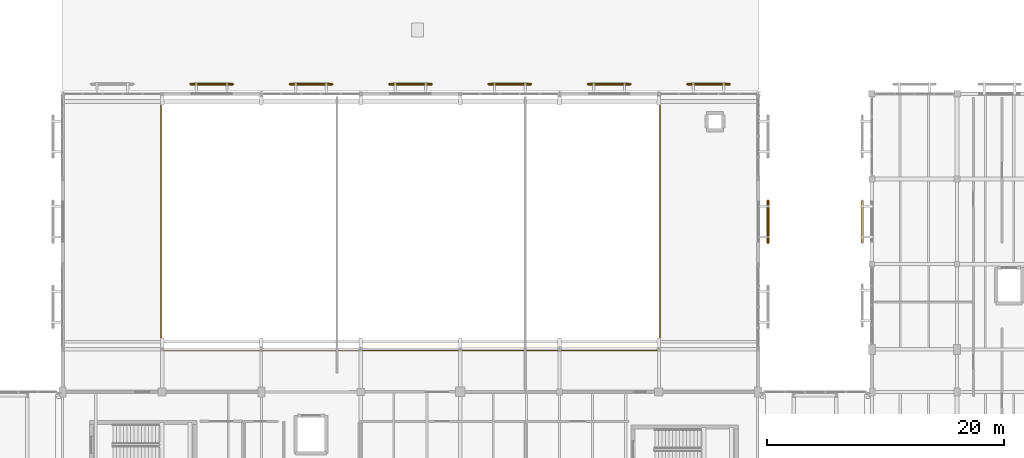
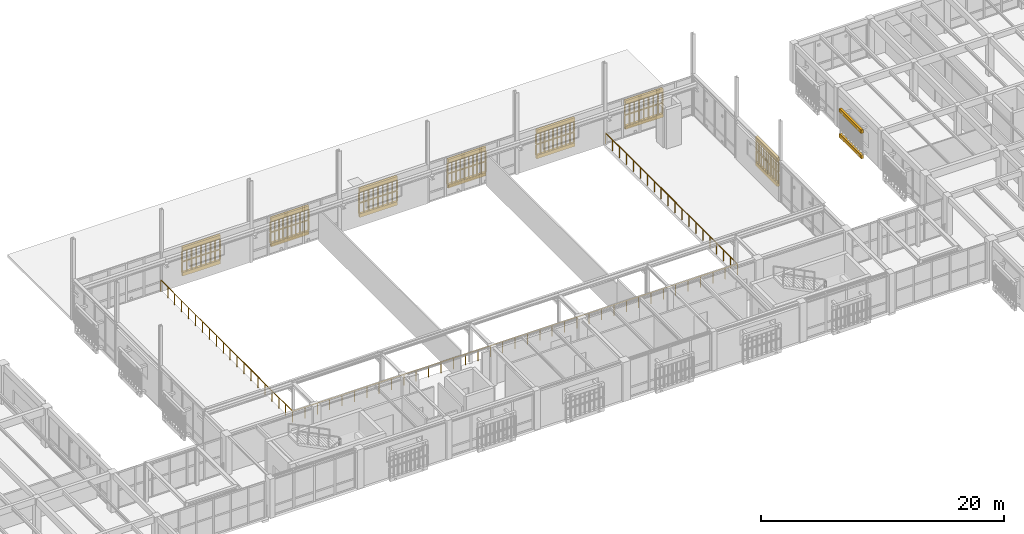
# One storey, part 161 of 170: 16 coverings, 15 railings.
"""IFC4 building model written with IfcOpenShell, lengths in metres."""

import ifcopenshell
import ifcopenshell.guid

model = None  # the IFC model being written
_history = None  # IfcOwnerHistory: only IFC2X3 demands one
_inside = {}  # id of a spatial element -> (the spatial element, [elements in it])
_under = {}  # id of a project, library or spatial element -> (it, [spatial elements below it])
_declared = {}  # id of a project -> (the project, [libraries it declares])
_typed = {}  # id of a type object -> (the type object, [elements of that type])
_made_of = {}  # id of a material, layer set ... -> (it, [elements and type objects made of it])


def new_model(schema):
    """Start an empty IFC model of exactly this schema.

    Asked for "IFC4X3", IfcOpenShell would pick the latest addendum, in which some entities
    have other attributes; the version numbers below select the first issue.
    IFC2X3 requires an IfcOwnerHistory on every rooted entity: one is made here for all.
    """
    global model, _history
    if schema == "IFC4X3":
        model = ifcopenshell.file(schema_version=(4, 3, 0, 0))
    else:
        model = ifcopenshell.file(schema=schema)
    _inside.clear()
    _under.clear()
    _declared.clear()
    _typed.clear()
    _made_of.clear()
    _history = None
    if model.schema == "IFC2X3":
        org = make("IfcOrganization", Name="unknown")
        user = make(
            "IfcPersonAndOrganization",
            ThePerson=make("IfcPerson", FamilyName="unknown"),
            TheOrganization=org,
        )
        app = make(
            "IfcApplication",
            ApplicationDeveloper=org,
            Version="unknown",
            ApplicationFullName="unknown",
            ApplicationIdentifier="unknown",
        )
        _history = make(
            "IfcOwnerHistory",
            OwningUser=user,
            OwningApplication=app,
            ChangeAction="ADDED",
            CreationDate=0,
        )
    return model


def make(cls, **values):
    """One entity of the class cls with the attributes given. An attribute that is None is left unset."""
    return model.create_entity(
        cls, **{name: value for name, value in values.items() if value is not None}
    )


def rooted(cls, **values):
    """An entity with a GlobalId (a new one), such as an element, a storey or a relation."""
    return make(cls, GlobalId=ifcopenshell.guid.new(), OwnerHistory=_history, **values)


def si_unit(unit_type, name, prefix=None):
    """IfcSIUnit, for example si_unit("LENGTHUNIT", "METRE", prefix="MILLI")."""
    return make("IfcSIUnit", UnitType=unit_type, Prefix=prefix, Name=name)


def assignment(units):
    """IfcUnitAssignment: the units of a project."""
    return None if units is None else make("IfcUnitAssignment", Units=units)


def point(xyz):
    """IfcCartesianPoint."""
    return None if xyz is None else make("IfcCartesianPoint", Coordinates=xyz)


def direction(xyz):
    """IfcDirection."""
    return None if xyz is None else make("IfcDirection", DirectionRatios=xyz)


def frame(location, z_axis=None, x_axis=None):
    """IfcAxis2Placement3D, a coordinate frame: its origin and axes. An axis left out is left unset."""
    return make(
        "IfcAxis2Placement3D",
        Location=point(location),
        Axis=direction(z_axis),
        RefDirection=direction(x_axis),
    )


def frame_2d(location, x_axis=None):
    """IfcAxis2Placement2D, a coordinate frame in the plane: its origin and x axis."""
    return make(
        "IfcAxis2Placement2D", Location=point(location), RefDirection=direction(x_axis)
    )


def origin():
    """The frame at (0, 0, 0) with its axes left unset."""
    return frame((0.0, 0.0, 0.0))


def origin_2d():
    """The frame at (0, 0) in the plane with its x axis left unset."""
    return frame_2d((0.0, 0.0))


def place(relative_to, where):
    """IfcLocalPlacement: puts the frame where relative to a parent placement (None: the world)."""
    return make(
        "IfcLocalPlacement", PlacementRelTo=relative_to, RelativePlacement=where
    )


def context(
    kind, dimensions, precision=None, world=None, true_north=None, identifier=None
):
    """IfcGeometricRepresentationContext, for example the 3D "Model" context."""
    return make(
        "IfcGeometricRepresentationContext",
        ContextIdentifier=identifier,
        ContextType=kind,
        CoordinateSpaceDimension=dimensions,
        Precision=precision,
        WorldCoordinateSystem=world,
        TrueNorth=true_north,
    )


def subcontext(parent, identifier, kind, view, scale=None):
    """IfcGeometricRepresentationSubContext, for example "Body" below "Model"."""
    return make(
        "IfcGeometricRepresentationSubContext",
        ContextIdentifier=identifier,
        ContextType=kind,
        ParentContext=parent,
        TargetScale=scale,
        TargetView=view,
    )


def project(units=None, contexts=None):
    """IfcProject with its units and contexts."""
    return rooted(
        "IfcProject",
        Name="project",
        RepresentationContexts=contexts,
        UnitsInContext=assignment(units),
    )


def spatial(cls, under=None, at=None, **own):
    """A site, building, storey or space (cls), placed at a placement, below another one or the project."""
    s = rooted(cls, ObjectPlacement=at, **own)
    if under is not None:
        _under.setdefault(under.id(), (under, []))[1].append(s)
    return s


def polyline(points):
    """IfcPolyline through the points."""
    return make("IfcPolyline", Points=[point(p) for p in points])


def profile(cls, at=None, kind="AREA", **sizes):
    """A parametric profile (cls). Its sizes go by their IFC names, for example OverallWidth=200.0."""
    return make(cls, ProfileType=kind, Position=at, **sizes)


def circle(**sizes):
    """IfcCircleProfileDef."""
    return profile("IfcCircleProfileDef", **sizes)


def outline(outer, holes=None, kind="AREA"):
    """IfcArbitraryClosedProfileDef: a profile drawn as a closed curve; with holes, ...WithVoids."""
    if holes is None:
        return make("IfcArbitraryClosedProfileDef", ProfileType=kind, OuterCurve=outer)
    return make(
        "IfcArbitraryProfileDefWithVoids",
        ProfileType=kind,
        OuterCurve=outer,
        InnerCurves=holes,
    )


def extrude(swept, where, along, depth):
    """IfcExtrudedAreaSolid: the profile swept, set in the frame where, extruded along a direction by depth."""
    return make(
        "IfcExtrudedAreaSolid",
        SweptArea=swept,
        Position=where,
        ExtrudedDirection=direction(along),
        Depth=depth,
    )


def shape(context_of_items, identifier, shape_type, items):
    """IfcShapeRepresentation: the items that make up one representation, for example the "Body"."""
    return make(
        "IfcShapeRepresentation",
        ContextOfItems=context_of_items,
        RepresentationIdentifier=identifier,
        RepresentationType=shape_type,
        Items=items,
    )


def material(Name=None, Category=None):
    """IfcMaterial."""
    return make("IfcMaterial", Name=Name, Category=Category)


def layer(
    of_material, thickness, ventilated=None, Name=None, Category=None, Priority=None
):
    """IfcMaterialLayer: one layer of a wall or slab, of a material (None: an air gap)."""
    return make(
        "IfcMaterialLayer",
        Material=of_material,
        LayerThickness=thickness,
        IsVentilated=ventilated,
        Name=Name,
        Category=Category,
        Priority=Priority,
    )


def layer_set(layers, Name=None):
    """IfcMaterialLayerSet."""
    return make("IfcMaterialLayerSet", MaterialLayers=layers, LayerSetName=Name)


def made_of(thing, what):
    """Note that an element or type object is made of a material, layer set ...; save() writes the relation."""
    if what is not None:
        _made_of.setdefault(what.id(), (what, []))[1].append(thing)
    return thing


def type_object(cls, material=None, **own):
    """A type object (cls), such as IfcWallType, which elements share."""
    return made_of(rooted(cls, **own), material)


def element(
    cls,
    number,
    at=None,
    inside=None,
    cuts=None,
    type_object=None,
    material=None,
    context=None,
    identifier="Body",
    shape_type=None,
    held_by="IfcProductDefinitionShape",
    body=None,
    shapes=None,
    **own,
):
    """One element of the class cls, such as IfcWall. Its Tag is "e" and its number.

    at: its placement. inside: the storey or other place that contains it. cuts: it is an
    opening in that element (IfcRelVoidsElement). A single representation is given by context,
    identifier, shape_type and body (its items); several are given by shapes. held_by: the class
    of the entity that holds the representations. save() writes the other relations.
    """
    e = rooted(cls, Tag="e%d" % number, ObjectPlacement=at, **own)
    if body is not None:
        shapes = [shape(context, identifier, shape_type, body)]
    if shapes is not None:
        e.Representation = make(held_by, Representations=shapes)
    if inside is not None:
        _inside.setdefault(inside.id(), (inside, []))[1].append(e)
    if cuts is not None:
        rooted(
            "IfcRelVoidsElement", RelatingBuildingElement=cuts, RelatedOpeningElement=e
        )
    if type_object is not None:
        _typed.setdefault(type_object.id(), (type_object, []))[1].append(e)
    return made_of(e, material)


def aggregate(whole, parts):
    """IfcRelAggregates: a whole, such as a stair, and the parts it consists of."""
    return rooted("IfcRelAggregates", RelatingObject=whole, RelatedObjects=parts)


def save(model, path):
    """Write the relations noted so far, then the file.

    IfcRelAggregates (storeys below a building ...), IfcRelContainedInSpatialStructure (elements
    in a storey), IfcRelDefinesByType, IfcRelAssociatesMaterial and IfcRelDeclares: one each for
    every whole, place, type object, material and project.
    """
    for whole, parts in _under.values():
        aggregate(whole, parts)
    for where, things in _inside.values():
        rooted(
            "IfcRelContainedInSpatialStructure",
            RelatedElements=things,
            RelatingStructure=where,
        )
    for kind, things in _typed.values():
        rooted("IfcRelDefinesByType", RelatedObjects=things, RelatingType=kind)
    for what, things in _made_of.values():
        rooted("IfcRelAssociatesMaterial", RelatedObjects=things, RelatingMaterial=what)
    for by, libraries in _declared.values():
        rooted("IfcRelDeclares", RelatingContext=by, RelatedDefinitions=libraries)
    model.write(path)


model = new_model("IFC4")

# Units and contexts
model_context = context("Model", 3, precision=1e-05, world=origin(), true_north=direction((0.0, 1.0)))
body_context = subcontext(model_context, "Body", "Model", "MODEL_VIEW")
ifc_project = project(units=[si_unit("LENGTHUNIT", "METRE"), si_unit("AREAUNIT", "SQUARE_METRE"), si_unit("VOLUMEUNIT", "CUBIC_METRE"), si_unit("PLANEANGLEUNIT", "RADIAN"), si_unit("MASSUNIT", "GRAM", prefix="KILO")], contexts=[model_context])

# Site, building, storey
site_placement = place(None, origin())
site = spatial("IfcSite", under=ifc_project, at=site_placement, CompositionType="ELEMENT")
building_placement = place(site_placement, origin())
building = spatial("IfcBuilding", under=site, at=building_placement, Name="Mazaris Harbour Polytechnic", CompositionType="ELEMENT")
storey_placement = place(building_placement, frame((0.0, 0.0, 5.39990234375)))
storey = spatial("IfcBuildingStorey", under=building, at=storey_placement, Name="L01", CompositionType="ELEMENT", Elevation=5.39990234375)

# Railings
ifc_material_1 = material(Name="Steel S355", Category="steel")
railing_type_1 = type_object("IfcRailingType", Name="Mezzanine Steel Guardrail 1100", PredefinedType="GUARDRAIL", material=ifc_material_1)
railing_placement = place(storey_placement, frame((62.300048828125, 107.9599609375, 0.0)))
element("IfcRailing", 1, at=railing_placement, inside=storey, type_object=railing_type_1, Name="Railing GRD-V1-CRANE", PredefinedType="GUARDRAIL", context=body_context, shape_type="SweptSolid", body=[
    extrude(circle(Radius=0.02392578125, at=origin_2d()), frame((0.0, 0.0, 1.09619140625), z_axis=(0.0, -1.0, 0.0), x_axis=(1.0, 0.0, 0.0)), (0.0, 0.0, 1.0), 21.659912109375),
    extrude(circle(Radius=0.02392578125, at=origin_2d()), frame((0.0, -21.659912109375, 1.09619140625), z_axis=(1.0, 0.0, 0.0), x_axis=(0.0, 1.0, 0.0)), (0.0, 0.0, 1.0), 42.199951171875),
    extrude(circle(Radius=0.02392578125, at=origin_2d()), frame((42.199951171875, -21.659912109375, 1.09619140625), z_axis=(0.0, 1.0, 0.0), x_axis=(-1.0, 0.0, 0.0)), (0.0, 0.0, 1.0), 21.659912109375),
    extrude(circle(Radius=0.02099609375, at=origin_2d()), origin(), (0.0, 0.0, 1.0), 1.072021484375),
    extrude(circle(Radius=0.02099609375, at=origin_2d()), frame((0.0, -1.139892578125, 0.0)), (0.0, 0.0, 1.0), 1.072021484375),
    extrude(circle(Radius=0.02099609375, at=origin_2d()), frame((0.0, -2.280029296875, 0.0)), (0.0, 0.0, 1.0), 1.072021484375),
    extrude(circle(Radius=0.02099609375, at=origin_2d()), frame((0.0, -3.419921875, 0.0)), (0.0, 0.0, 1.0), 1.072021484375),
    extrude(circle(Radius=0.02099609375, at=origin_2d()), frame((0.0, -4.56005859375, 0.0)), (0.0, 0.0, 1.0), 1.072021484375),
    extrude(circle(Radius=0.02099609375, at=origin_2d()), frame((0.0, -5.699951171875, 0.0)), (0.0, 0.0, 1.0), 1.072021484375),
    extrude(circle(Radius=0.02099609375, at=origin_2d()), frame((0.0, -6.840087890625, 0.0)), (0.0, 0.0, 1.0), 1.072021484375),
    extrude(circle(Radius=0.02099609375, at=origin_2d()), frame((0.0, -7.97998046875, 0.0)), (0.0, 0.0, 1.0), 1.072021484375),
    extrude(circle(Radius=0.02099609375, at=origin_2d()), frame((0.0, -9.119873046875, 0.0)), (0.0, 0.0, 1.0), 1.072021484375),
    extrude(circle(Radius=0.02099609375, at=origin_2d()), frame((0.0, -10.260009765625, 0.0)), (0.0, 0.0, 1.0), 1.072021484375),
    extrude(circle(Radius=0.02099609375, at=origin_2d()), frame((0.0, -11.39990234375, 0.0)), (0.0, 0.0, 1.0), 1.072021484375),
    extrude(circle(Radius=0.02099609375, at=origin_2d()), frame((0.0, -12.5400390625, 0.0)), (0.0, 0.0, 1.0), 1.072021484375),
    extrude(circle(Radius=0.02099609375, at=origin_2d()), frame((0.0, -13.679931640625, 0.0)), (0.0, 0.0, 1.0), 1.072021484375),
    extrude(circle(Radius=0.02099609375, at=origin_2d()), frame((0.0, -14.81982421875, 0.0)), (0.0, 0.0, 1.0), 1.072021484375),
    extrude(circle(Radius=0.02099609375, at=origin_2d()), frame((0.0, -15.9599609375, 0.0)), (0.0, 0.0, 1.0), 1.072021484375),
    extrude(circle(Radius=0.02099609375, at=origin_2d()), frame((0.0, -17.099853515625, 0.0)), (0.0, 0.0, 1.0), 1.072021484375),
    extrude(circle(Radius=0.02099609375, at=origin_2d()), frame((0.0, -18.239990234375, 0.0)), (0.0, 0.0, 1.0), 1.072021484375),
    extrude(circle(Radius=0.02099609375, at=origin_2d()), frame((0.0, -19.3798828125, 0.0)), (0.0, 0.0, 1.0), 1.072021484375),
    extrude(circle(Radius=0.02099609375, at=origin_2d()), frame((0.0, -20.52001953125, 0.0)), (0.0, 0.0, 1.0), 1.072021484375),
    extrude(circle(Radius=0.02099609375, at=origin_2d()), frame((0.0, -21.659912109375, 0.0)), (0.0, 0.0, 1.0), 1.072021484375),
    extrude(circle(Radius=0.02099609375, at=origin_2d()), frame((1.172119140625, -21.659912109375, 0.0)), (0.0, 0.0, 1.0), 1.072021484375),
    extrude(circle(Radius=0.02099609375, at=origin_2d()), frame((2.344482421875, -21.659912109375, 0.0)), (0.0, 0.0, 1.0), 1.072021484375),
    extrude(circle(Radius=0.02099609375, at=origin_2d()), frame((3.5166015625, -21.659912109375, 0.0)), (0.0, 0.0, 1.0), 1.072021484375),
    extrude(circle(Radius=0.02099609375, at=origin_2d()), frame((4.68896484375, -21.659912109375, 0.0)), (0.0, 0.0, 1.0), 1.072021484375),
    extrude(circle(Radius=0.02099609375, at=origin_2d()), frame((5.861083984375, -21.659912109375, 0.0)), (0.0, 0.0, 1.0), 1.072021484375),
    extrude(circle(Radius=0.02099609375, at=origin_2d()), frame((7.033203125, -21.659912109375, 0.0)), (0.0, 0.0, 1.0), 1.072021484375),
    extrude(circle(Radius=0.02099609375, at=origin_2d()), frame((8.20556640625, -21.659912109375, 0.0)), (0.0, 0.0, 1.0), 1.072021484375),
    extrude(circle(Radius=0.02099609375, at=origin_2d()), frame((9.377685546875, -21.659912109375, 0.0)), (0.0, 0.0, 1.0), 1.072021484375),
    extrude(circle(Radius=0.02099609375, at=origin_2d()), frame((10.550048828125, -21.659912109375, 0.0)), (0.0, 0.0, 1.0), 1.072021484375),
    extrude(circle(Radius=0.02099609375, at=origin_2d()), frame((11.72216796875, -21.659912109375, 0.0)), (0.0, 0.0, 1.0), 1.072021484375),
    extrude(circle(Radius=0.02099609375, at=origin_2d()), frame((12.89453125, -21.659912109375, 0.0)), (0.0, 0.0, 1.0), 1.072021484375),
    extrude(circle(Radius=0.02099609375, at=origin_2d()), frame((14.066650390625, -21.659912109375, 0.0)), (0.0, 0.0, 1.0), 1.072021484375),
    extrude(circle(Radius=0.02099609375, at=origin_2d()), frame((15.23876953125, -21.659912109375, 0.0)), (0.0, 0.0, 1.0), 1.072021484375),
    extrude(circle(Radius=0.02099609375, at=origin_2d()), frame((16.4111328125, -21.659912109375, 0.0)), (0.0, 0.0, 1.0), 1.072021484375),
    extrude(circle(Radius=0.02099609375, at=origin_2d()), frame((17.583251953125, -21.659912109375, 0.0)), (0.0, 0.0, 1.0), 1.072021484375),
    extrude(circle(Radius=0.02099609375, at=origin_2d()), frame((18.755615234375, -21.659912109375, 0.0)), (0.0, 0.0, 1.0), 1.072021484375),
    extrude(circle(Radius=0.02099609375, at=origin_2d()), frame((19.927734375, -21.659912109375, 0.0)), (0.0, 0.0, 1.0), 1.072021484375),
    extrude(circle(Radius=0.02099609375, at=origin_2d()), frame((21.10009765625, -21.659912109375, 0.0)), (0.0, 0.0, 1.0), 1.072021484375),
    extrude(circle(Radius=0.02099609375, at=origin_2d()), frame((22.272216796875, -21.659912109375, 0.0)), (0.0, 0.0, 1.0), 1.072021484375),
    extrude(circle(Radius=0.02099609375, at=origin_2d()), frame((23.4443359375, -21.659912109375, 0.0)), (0.0, 0.0, 1.0), 1.072021484375),
    extrude(circle(Radius=0.02099609375, at=origin_2d()), frame((24.61669921875, -21.659912109375, 0.0)), (0.0, 0.0, 1.0), 1.072021484375),
    extrude(circle(Radius=0.02099609375, at=origin_2d()), frame((25.788818359375, -21.659912109375, 0.0)), (0.0, 0.0, 1.0), 1.072021484375),
    extrude(circle(Radius=0.02099609375, at=origin_2d()), frame((26.961181640625, -21.659912109375, 0.0)), (0.0, 0.0, 1.0), 1.072021484375),
    extrude(circle(Radius=0.02099609375, at=origin_2d()), frame((28.13330078125, -21.659912109375, 0.0)), (0.0, 0.0, 1.0), 1.072021484375),
    extrude(circle(Radius=0.02099609375, at=origin_2d()), frame((29.305419921875, -21.659912109375, 0.0)), (0.0, 0.0, 1.0), 1.072021484375),
    extrude(circle(Radius=0.02099609375, at=origin_2d()), frame((30.477783203125, -21.659912109375, 0.0)), (0.0, 0.0, 1.0), 1.072021484375),
    extrude(circle(Radius=0.02099609375, at=origin_2d()), frame((31.64990234375, -21.659912109375, 0.0)), (0.0, 0.0, 1.0), 1.072021484375),
    extrude(circle(Radius=0.02099609375, at=origin_2d()), frame((32.822265625, -21.659912109375, 0.0)), (0.0, 0.0, 1.0), 1.072021484375),
    extrude(circle(Radius=0.02099609375, at=origin_2d()), frame((33.994384765625, -21.659912109375, 0.0)), (0.0, 0.0, 1.0), 1.072021484375),
    extrude(circle(Radius=0.02099609375, at=origin_2d()), frame((35.16650390625, -21.659912109375, 0.0)), (0.0, 0.0, 1.0), 1.072021484375),
    extrude(circle(Radius=0.02099609375, at=origin_2d()), frame((36.3388671875, -21.659912109375, 0.0)), (0.0, 0.0, 1.0), 1.072021484375),
    extrude(circle(Radius=0.02099609375, at=origin_2d()), frame((37.510986328125, -21.659912109375, 0.0)), (0.0, 0.0, 1.0), 1.072021484375),
    extrude(circle(Radius=0.02099609375, at=origin_2d()), frame((38.683349609375, -21.659912109375, 0.0)), (0.0, 0.0, 1.0), 1.072021484375),
    extrude(circle(Radius=0.02099609375, at=origin_2d()), frame((39.85546875, -21.659912109375, 0.0)), (0.0, 0.0, 1.0), 1.072021484375),
    extrude(circle(Radius=0.02099609375, at=origin_2d()), frame((41.02783203125, -21.659912109375, 0.0)), (0.0, 0.0, 1.0), 1.072021484375),
    extrude(circle(Radius=0.02099609375, at=origin_2d()), frame((42.199951171875, -21.659912109375, 0.0)), (0.0, 0.0, 1.0), 1.072021484375),
    extrude(circle(Radius=0.02099609375, at=origin_2d()), frame((42.199951171875, -20.52001953125, 0.0)), (0.0, 0.0, 1.0), 1.072021484375),
    extrude(circle(Radius=0.02099609375, at=origin_2d()), frame((42.199951171875, -19.3798828125, 0.0)), (0.0, 0.0, 1.0), 1.072021484375),
    extrude(circle(Radius=0.02099609375, at=origin_2d()), frame((42.199951171875, -18.239990234375, 0.0)), (0.0, 0.0, 1.0), 1.072021484375),
    extrude(circle(Radius=0.02099609375, at=origin_2d()), frame((42.199951171875, -17.099853515625, 0.0)), (0.0, 0.0, 1.0), 1.072021484375),
    extrude(circle(Radius=0.02099609375, at=origin_2d()), frame((42.199951171875, -15.9599609375, 0.0)), (0.0, 0.0, 1.0), 1.072021484375),
    extrude(circle(Radius=0.02099609375, at=origin_2d()), frame((42.199951171875, -14.81982421875, 0.0)), (0.0, 0.0, 1.0), 1.072021484375),
    extrude(circle(Radius=0.02099609375, at=origin_2d()), frame((42.199951171875, -13.679931640625, 0.0)), (0.0, 0.0, 1.0), 1.072021484375),
    extrude(circle(Radius=0.02099609375, at=origin_2d()), frame((42.199951171875, -12.5400390625, 0.0)), (0.0, 0.0, 1.0), 1.072021484375),
    extrude(circle(Radius=0.02099609375, at=origin_2d()), frame((42.199951171875, -11.39990234375, 0.0)), (0.0, 0.0, 1.0), 1.072021484375),
    extrude(circle(Radius=0.02099609375, at=origin_2d()), frame((42.199951171875, -10.260009765625, 0.0)), (0.0, 0.0, 1.0), 1.072021484375),
    extrude(circle(Radius=0.02099609375, at=origin_2d()), frame((42.199951171875, -9.119873046875, 0.0)), (0.0, 0.0, 1.0), 1.072021484375),
    extrude(circle(Radius=0.02099609375, at=origin_2d()), frame((42.199951171875, -7.97998046875, 0.0)), (0.0, 0.0, 1.0), 1.072021484375),
    extrude(circle(Radius=0.02099609375, at=origin_2d()), frame((42.199951171875, -6.840087890625, 0.0)), (0.0, 0.0, 1.0), 1.072021484375),
    extrude(circle(Radius=0.02099609375, at=origin_2d()), frame((42.199951171875, -5.699951171875, 0.0)), (0.0, 0.0, 1.0), 1.072021484375),
    extrude(circle(Radius=0.02099609375, at=origin_2d()), frame((42.199951171875, -4.56005859375, 0.0)), (0.0, 0.0, 1.0), 1.072021484375),
    extrude(circle(Radius=0.02099609375, at=origin_2d()), frame((42.199951171875, -3.419921875, 0.0)), (0.0, 0.0, 1.0), 1.072021484375),
    extrude(circle(Radius=0.02099609375, at=origin_2d()), frame((42.199951171875, -2.280029296875, 0.0)), (0.0, 0.0, 1.0), 1.072021484375),
    extrude(circle(Radius=0.02099609375, at=origin_2d()), frame((42.199951171875, -1.139892578125, 0.0)), (0.0, 0.0, 1.0), 1.072021484375),
    extrude(circle(Radius=0.02099609375, at=origin_2d()), frame((42.199951171875, 0.0, 0.0)), (0.0, 0.0, 1.0), 1.072021484375),
])
ifc_material_2 = material(Name="Perforated Earth-Coloured Terracotta Block", Category="masonry")
railing_type_2 = type_object("IfcRailingType", Name="Perforated Earth-Block Claustra Lattice 1040", PredefinedType="BALUSTRADE", material=ifc_material_2)
for number, where, name in (
    (2, (64.800048828125, 108.820068359375, 0.52001953125), "V1 L01 Lower Perforated Terracotta Block Screen 12"),
    (3, (64.800048828125, 108.820068359375, 1.610107421875), "V1 L01 Upper Perforated Terracotta Block Screen 12"),
):
    element("IfcRailing", number, at=place(storey_placement, frame(where)), inside=storey, type_object=railing_type_2, Name=name, PredefinedType="BALUSTRADE", context=body_context, shape_type="SweptSolid", body=[
        extrude(circle(Radius=0.06982421875, at=origin_2d()), frame((0.0, 0.0, 1.02001953125), z_axis=(1.0, 0.0, 0.0), x_axis=(0.0, 1.0, 0.0)), (0.0, 0.0, 1.0), 3.599853515625),
        extrude(circle(Radius=0.074951171875, at=origin_2d()), origin(), (0.0, 0.0, 1.0), 0.9501953125),
        extrude(circle(Radius=0.074951171875, at=origin_2d()), frame((0.449951171875, 0.0, 0.0)), (0.0, 0.0, 1.0), 0.9501953125),
        extrude(circle(Radius=0.074951171875, at=origin_2d()), frame((0.89990234375, 0.0, 0.0)), (0.0, 0.0, 1.0), 0.9501953125),
        extrude(circle(Radius=0.074951171875, at=origin_2d()), frame((1.349853515625, 0.0, 0.0)), (0.0, 0.0, 1.0), 0.9501953125),
        extrude(circle(Radius=0.074951171875, at=origin_2d()), frame((1.7998046875, 0.0, 0.0)), (0.0, 0.0, 1.0), 0.9501953125),
        extrude(circle(Radius=0.074951171875, at=origin_2d()), frame((2.25, 0.0, 0.0)), (0.0, 0.0, 1.0), 0.9501953125),
        extrude(circle(Radius=0.074951171875, at=origin_2d()), frame((2.699951171875, 0.0, 0.0)), (0.0, 0.0, 1.0), 0.9501953125),
        extrude(circle(Radius=0.074951171875, at=origin_2d()), frame((3.14990234375, 0.0, 0.0)), (0.0, 0.0, 1.0), 0.9501953125),
        extrude(circle(Radius=0.074951171875, at=origin_2d()), frame((3.599853515625, 0.0, 0.0)), (0.0, 0.0, 1.0), 0.9501953125),
    ])
for number, where, name in (
    (4, (73.199951171875, 108.820068359375, 0.52001953125), "V1 L01 Lower Perforated Terracotta Block Screen 13"),
    (5, (73.199951171875, 108.820068359375, 1.610107421875), "V1 L01 Upper Perforated Terracotta Block Screen 13"),
):
    element("IfcRailing", number, at=place(storey_placement, frame(where)), inside=storey, type_object=railing_type_2, Name=name, PredefinedType="BALUSTRADE", context=body_context, shape_type="SweptSolid", body=[
        extrude(circle(Radius=0.06982421875, at=origin_2d()), frame((0.0, 0.0, 1.02001953125), z_axis=(1.0, 0.0, 0.0), x_axis=(0.0, 1.0, 0.0)), (0.0, 0.0, 1.0), 3.60009765625),
        extrude(circle(Radius=0.074951171875, at=origin_2d()), origin(), (0.0, 0.0, 1.0), 0.9501953125),
        extrude(circle(Radius=0.074951171875, at=origin_2d()), frame((0.39990234375, 0.0, 0.0)), (0.0, 0.0, 1.0), 0.9501953125),
        extrude(circle(Radius=0.074951171875, at=origin_2d()), frame((0.800048828125, 0.0, 0.0)), (0.0, 0.0, 1.0), 0.9501953125),
        extrude(circle(Radius=0.074951171875, at=origin_2d()), frame((1.199951171875, 0.0, 0.0)), (0.0, 0.0, 1.0), 0.9501953125),
        extrude(circle(Radius=0.074951171875, at=origin_2d()), frame((1.60009765625, 0.0, 0.0)), (0.0, 0.0, 1.0), 0.9501953125),
        extrude(circle(Radius=0.074951171875, at=origin_2d()), frame((2.0, 0.0, 0.0)), (0.0, 0.0, 1.0), 0.9501953125),
        extrude(circle(Radius=0.074951171875, at=origin_2d()), frame((2.400146484375, 0.0, 0.0)), (0.0, 0.0, 1.0), 0.9501953125),
        extrude(circle(Radius=0.074951171875, at=origin_2d()), frame((2.800048828125, 0.0, 0.0)), (0.0, 0.0, 1.0), 0.9501953125),
        extrude(circle(Radius=0.074951171875, at=origin_2d()), frame((3.2001953125, 0.0, 0.0)), (0.0, 0.0, 1.0), 0.9501953125),
        extrude(circle(Radius=0.074951171875, at=origin_2d()), frame((3.60009765625, 0.0, 0.0)), (0.0, 0.0, 1.0), 0.9501953125),
    ])
for number, where, name in (
    (6, (81.60009765625, 108.820068359375, 0.52001953125), "V1 L01 Lower Perforated Terracotta Block Screen 14"),
    (7, (81.60009765625, 108.820068359375, 1.610107421875), "V1 L01 Upper Perforated Terracotta Block Screen 14"),
):
    element("IfcRailing", number, at=place(storey_placement, frame(where)), inside=storey, type_object=railing_type_2, Name=name, PredefinedType="BALUSTRADE", context=body_context, shape_type="SweptSolid", body=[
        extrude(circle(Radius=0.06982421875, at=origin_2d()), frame((0.0, 0.0, 1.02001953125), z_axis=(1.0, 0.0, 0.0), x_axis=(0.0, 1.0, 0.0)), (0.0, 0.0, 1.0), 3.599853515625),
        extrude(circle(Radius=0.074951171875, at=origin_2d()), origin(), (0.0, 0.0, 1.0), 0.9501953125),
        extrude(circle(Radius=0.074951171875, at=origin_2d()), frame((0.449951171875, 0.0, 0.0)), (0.0, 0.0, 1.0), 0.9501953125),
        extrude(circle(Radius=0.074951171875, at=origin_2d()), frame((0.89990234375, 0.0, 0.0)), (0.0, 0.0, 1.0), 0.9501953125),
        extrude(circle(Radius=0.074951171875, at=origin_2d()), frame((1.349853515625, 0.0, 0.0)), (0.0, 0.0, 1.0), 0.9501953125),
        extrude(circle(Radius=0.074951171875, at=origin_2d()), frame((1.7998046875, 0.0, 0.0)), (0.0, 0.0, 1.0), 0.9501953125),
        extrude(circle(Radius=0.074951171875, at=origin_2d()), frame((2.25, 0.0, 0.0)), (0.0, 0.0, 1.0), 0.9501953125),
        extrude(circle(Radius=0.074951171875, at=origin_2d()), frame((2.699951171875, 0.0, 0.0)), (0.0, 0.0, 1.0), 0.9501953125),
        extrude(circle(Radius=0.074951171875, at=origin_2d()), frame((3.14990234375, 0.0, 0.0)), (0.0, 0.0, 1.0), 0.9501953125),
        extrude(circle(Radius=0.074951171875, at=origin_2d()), frame((3.599853515625, 0.0, 0.0)), (0.0, 0.0, 1.0), 0.9501953125),
    ])
for number, where, name in (
    (8, (90.0, 108.820068359375, 0.52001953125), "V1 L01 Lower Perforated Terracotta Block Screen 15"),
    (9, (90.0, 108.820068359375, 1.610107421875), "V1 L01 Upper Perforated Terracotta Block Screen 15"),
    (10, (98.39990234375, 108.820068359375, 0.52001953125), "V1 L01 Lower Perforated Terracotta Block Screen 16"),
    (11, (98.39990234375, 108.820068359375, 1.610107421875), "V1 L01 Upper Perforated Terracotta Block Screen 16"),
):
    element("IfcRailing", number, at=place(storey_placement, frame(where)), inside=storey, type_object=railing_type_2, Name=name, PredefinedType="BALUSTRADE", context=body_context, shape_type="SweptSolid", body=[
        extrude(circle(Radius=0.06982421875, at=origin_2d()), frame((0.0, 0.0, 1.02001953125), z_axis=(1.0, 0.0, 0.0), x_axis=(0.0, 1.0, 0.0)), (0.0, 0.0, 1.0), 3.60009765625),
        extrude(circle(Radius=0.074951171875, at=origin_2d()), origin(), (0.0, 0.0, 1.0), 0.9501953125),
        extrude(circle(Radius=0.074951171875, at=origin_2d()), frame((0.39990234375, 0.0, 0.0)), (0.0, 0.0, 1.0), 0.9501953125),
        extrude(circle(Radius=0.074951171875, at=origin_2d()), frame((0.800048828125, 0.0, 0.0)), (0.0, 0.0, 1.0), 0.9501953125),
        extrude(circle(Radius=0.074951171875, at=origin_2d()), frame((1.199951171875, 0.0, 0.0)), (0.0, 0.0, 1.0), 0.9501953125),
        extrude(circle(Radius=0.074951171875, at=origin_2d()), frame((1.60009765625, 0.0, 0.0)), (0.0, 0.0, 1.0), 0.9501953125),
        extrude(circle(Radius=0.074951171875, at=origin_2d()), frame((2.0, 0.0, 0.0)), (0.0, 0.0, 1.0), 0.9501953125),
        extrude(circle(Radius=0.074951171875, at=origin_2d()), frame((2.400146484375, 0.0, 0.0)), (0.0, 0.0, 1.0), 0.9501953125),
        extrude(circle(Radius=0.074951171875, at=origin_2d()), frame((2.800048828125, 0.0, 0.0)), (0.0, 0.0, 1.0), 0.9501953125),
        extrude(circle(Radius=0.074951171875, at=origin_2d()), frame((3.2001953125, 0.0, 0.0)), (0.0, 0.0, 1.0), 0.9501953125),
        extrude(circle(Radius=0.074951171875, at=origin_2d()), frame((3.60009765625, 0.0, 0.0)), (0.0, 0.0, 1.0), 0.9501953125),
    ])
for number, where, name in (
    (12, (106.800048828125, 108.820068359375, 0.52001953125), "V1 L01 Lower Perforated Terracotta Block Screen 17"),
    (13, (106.800048828125, 108.820068359375, 1.610107421875), "V1 L01 Upper Perforated Terracotta Block Screen 17"),
):
    element("IfcRailing", number, at=place(storey_placement, frame(where)), inside=storey, type_object=railing_type_2, Name=name, PredefinedType="BALUSTRADE", context=body_context, shape_type="SweptSolid", body=[
        extrude(circle(Radius=0.06982421875, at=origin_2d()), frame((0.0, 0.0, 1.02001953125), z_axis=(1.0, 0.0, 0.0), x_axis=(0.0, 1.0, 0.0)), (0.0, 0.0, 1.0), 3.599853515625),
        extrude(circle(Radius=0.074951171875, at=origin_2d()), origin(), (0.0, 0.0, 1.0), 0.9501953125),
        extrude(circle(Radius=0.074951171875, at=origin_2d()), frame((0.449951171875, 0.0, 0.0)), (0.0, 0.0, 1.0), 0.9501953125),
        extrude(circle(Radius=0.074951171875, at=origin_2d()), frame((0.89990234375, 0.0, 0.0)), (0.0, 0.0, 1.0), 0.9501953125),
        extrude(circle(Radius=0.074951171875, at=origin_2d()), frame((1.349853515625, 0.0, 0.0)), (0.0, 0.0, 1.0), 0.9501953125),
        extrude(circle(Radius=0.074951171875, at=origin_2d()), frame((1.7998046875, 0.0, 0.0)), (0.0, 0.0, 1.0), 0.9501953125),
        extrude(circle(Radius=0.074951171875, at=origin_2d()), frame((2.25, 0.0, 0.0)), (0.0, 0.0, 1.0), 0.9501953125),
        extrude(circle(Radius=0.074951171875, at=origin_2d()), frame((2.699951171875, 0.0, 0.0)), (0.0, 0.0, 1.0), 0.9501953125),
        extrude(circle(Radius=0.074951171875, at=origin_2d()), frame((3.14990234375, 0.0, 0.0)), (0.0, 0.0, 1.0), 0.9501953125),
        extrude(circle(Radius=0.074951171875, at=origin_2d()), frame((3.599853515625, 0.0, 0.0)), (0.0, 0.0, 1.0), 0.9501953125),
    ])
for number, where, name in (
    (14, (113.6201171875, 98.989990234375, 0.52001953125), "V1 L01 Lower Perforated Terracotta Block Screen 22"),
    (15, (113.6201171875, 98.989990234375, 1.610107421875), "V1 L01 Upper Perforated Terracotta Block Screen 22"),
):
    element("IfcRailing", number, at=place(storey_placement, frame(where)), inside=storey, type_object=railing_type_2, Name=name, PredefinedType="BALUSTRADE", context=body_context, shape_type="SweptSolid", body=[
        extrude(circle(Radius=0.06982421875, at=origin_2d()), frame((0.0, 0.0, 1.02001953125), z_axis=(0.0, -1.0, 0.0), x_axis=(1.0, 0.0, 0.0)), (0.0, 0.0, 1.0), 3.60009765625),
        extrude(circle(Radius=0.074951171875, at=origin_2d()), origin(), (0.0, 0.0, 1.0), 0.9501953125),
        extrude(circle(Radius=0.074951171875, at=origin_2d()), frame((0.0, -0.39990234375, 0.0)), (0.0, 0.0, 1.0), 0.9501953125),
        extrude(circle(Radius=0.074951171875, at=origin_2d()), frame((0.0, -0.800048828125, 0.0)), (0.0, 0.0, 1.0), 0.9501953125),
        extrude(circle(Radius=0.074951171875, at=origin_2d()), frame((0.0, -1.199951171875, 0.0)), (0.0, 0.0, 1.0), 0.9501953125),
        extrude(circle(Radius=0.074951171875, at=origin_2d()), frame((0.0, -1.60009765625, 0.0)), (0.0, 0.0, 1.0), 0.9501953125),
        extrude(circle(Radius=0.074951171875, at=origin_2d()), frame((0.0, -2.0, 0.0)), (0.0, 0.0, 1.0), 0.9501953125),
        extrude(circle(Radius=0.074951171875, at=origin_2d()), frame((0.0, -2.400146484375, 0.0)), (0.0, 0.0, 1.0), 0.9501953125),
        extrude(circle(Radius=0.074951171875, at=origin_2d()), frame((0.0, -2.800048828125, 0.0)), (0.0, 0.0, 1.0), 0.9501953125),
        extrude(circle(Radius=0.074951171875, at=origin_2d()), frame((0.0, -3.2001953125, 0.0)), (0.0, 0.0, 1.0), 0.9501953125),
        extrude(circle(Radius=0.074951171875, at=origin_2d()), frame((0.0, -3.60009765625, 0.0)), (0.0, 0.0, 1.0), 0.9501953125),
    ])

# Coverings
ifc_material_3 = material(Name="Perforated Earth-Coloured Terracotta Block", Category="masonry")
ifc_layer = layer(ifc_material_3, 0.219970703125, Name="Perforated Earth-Coloured Terracotta Block")
ifc_layer_set = layer_set([ifc_layer], Name="Perforated Earth-Coloured Terracotta Block")
covering_type = type_object("IfcCoveringType", Name="Terracotta Screen Course Cladding 220", PredefinedType="CLADDING", material=ifc_layer_set)
covering_1_placement = place(storey_placement, frame((0.0, 0.0, 0.16015625)))
element("IfcCovering", 16, at=covering_1_placement, inside=storey, type_object=covering_type, Name="V1 L01 Perforated Screen Sill Course 12", PredefinedType="CLADDING", context=body_context, shape_type="SweptSolid", body=[
    extrude(outline(polyline([(64.800048828125, 108.7099609375), (68.39990234375, 108.7099609375), (68.39990234375, 108.929931640625), (64.800048828125, 108.929931640625), (64.800048828125, 108.7099609375)])), origin(), (0.0, 0.0, 1.0), 0.35986328125),
])
covering_2_placement = place(storey_placement, frame((0.0, 0.0, 2.7001953125)))
element("IfcCovering", 17, at=covering_2_placement, inside=storey, type_object=covering_type, Name="V1 L01 Perforated Screen Lintel Course 12", PredefinedType="CLADDING", context=body_context, shape_type="SweptSolid", body=[
    extrude(outline(polyline([(64.800048828125, 108.7099609375), (68.39990234375, 108.7099609375), (68.39990234375, 108.929931640625), (64.800048828125, 108.929931640625), (64.800048828125, 108.7099609375)])), origin(), (0.0, 0.0, 1.0), 0.33984375),
])
covering_3_placement = place(storey_placement, frame((0.0, 0.0, 0.16015625)))
element("IfcCovering", 18, at=covering_3_placement, inside=storey, type_object=covering_type, Name="V1 L01 Perforated Screen Sill Course 13", PredefinedType="CLADDING", context=body_context, shape_type="SweptSolid", body=[
    extrude(outline(polyline([(73.199951171875, 108.7099609375), (76.800048828125, 108.7099609375), (76.800048828125, 108.929931640625), (73.199951171875, 108.929931640625), (73.199951171875, 108.7099609375)])), origin(), (0.0, 0.0, 1.0), 0.35986328125),
])
covering_4_placement = place(storey_placement, frame((0.0, 0.0, 2.7001953125)))
element("IfcCovering", 19, at=covering_4_placement, inside=storey, type_object=covering_type, Name="V1 L01 Perforated Screen Lintel Course 13", PredefinedType="CLADDING", context=body_context, shape_type="SweptSolid", body=[
    extrude(outline(polyline([(73.199951171875, 108.7099609375), (76.800048828125, 108.7099609375), (76.800048828125, 108.929931640625), (73.199951171875, 108.929931640625), (73.199951171875, 108.7099609375)])), origin(), (0.0, 0.0, 1.0), 0.33984375),
])
covering_5_placement = place(storey_placement, frame((0.0, 0.0, 0.16015625)))
element("IfcCovering", 20, at=covering_5_placement, inside=storey, type_object=covering_type, Name="V1 L01 Perforated Screen Sill Course 14", PredefinedType="CLADDING", context=body_context, shape_type="SweptSolid", body=[
    extrude(outline(polyline([(81.60009765625, 108.7099609375), (85.199951171875, 108.7099609375), (85.199951171875, 108.929931640625), (81.60009765625, 108.929931640625), (81.60009765625, 108.7099609375)])), origin(), (0.0, 0.0, 1.0), 0.35986328125),
])
covering_6_placement = place(storey_placement, frame((0.0, 0.0, 2.7001953125)))
element("IfcCovering", 21, at=covering_6_placement, inside=storey, type_object=covering_type, Name="V1 L01 Perforated Screen Lintel Course 14", PredefinedType="CLADDING", context=body_context, shape_type="SweptSolid", body=[
    extrude(outline(polyline([(81.60009765625, 108.7099609375), (85.199951171875, 108.7099609375), (85.199951171875, 108.929931640625), (81.60009765625, 108.929931640625), (81.60009765625, 108.7099609375)])), origin(), (0.0, 0.0, 1.0), 0.33984375),
])
covering_7_placement = place(storey_placement, frame((0.0, 0.0, 0.16015625)))
element("IfcCovering", 22, at=covering_7_placement, inside=storey, type_object=covering_type, Name="V1 L01 Perforated Screen Sill Course 15", PredefinedType="CLADDING", context=body_context, shape_type="SweptSolid", body=[
    extrude(outline(polyline([(90.0, 108.7099609375), (93.60009765625, 108.7099609375), (93.60009765625, 108.929931640625), (90.0, 108.929931640625), (90.0, 108.7099609375)])), origin(), (0.0, 0.0, 1.0), 0.35986328125),
])
covering_8_placement = place(storey_placement, frame((0.0, 0.0, 2.7001953125)))
element("IfcCovering", 23, at=covering_8_placement, inside=storey, type_object=covering_type, Name="V1 L01 Perforated Screen Lintel Course 15", PredefinedType="CLADDING", context=body_context, shape_type="SweptSolid", body=[
    extrude(outline(polyline([(90.0, 108.7099609375), (93.60009765625, 108.7099609375), (93.60009765625, 108.929931640625), (90.0, 108.929931640625), (90.0, 108.7099609375)])), origin(), (0.0, 0.0, 1.0), 0.33984375),
])
covering_9_placement = place(storey_placement, frame((0.0, 0.0, 0.16015625)))
element("IfcCovering", 24, at=covering_9_placement, inside=storey, type_object=covering_type, Name="V1 L01 Perforated Screen Sill Course 16", PredefinedType="CLADDING", context=body_context, shape_type="SweptSolid", body=[
    extrude(outline(polyline([(98.39990234375, 108.7099609375), (102.0, 108.7099609375), (102.0, 108.929931640625), (98.39990234375, 108.929931640625), (98.39990234375, 108.7099609375)])), origin(), (0.0, 0.0, 1.0), 0.35986328125),
])
covering_10_placement = place(storey_placement, frame((0.0, 0.0, 2.7001953125)))
element("IfcCovering", 25, at=covering_10_placement, inside=storey, type_object=covering_type, Name="V1 L01 Perforated Screen Lintel Course 16", PredefinedType="CLADDING", context=body_context, shape_type="SweptSolid", body=[
    extrude(outline(polyline([(98.39990234375, 108.7099609375), (102.0, 108.7099609375), (102.0, 108.929931640625), (98.39990234375, 108.929931640625), (98.39990234375, 108.7099609375)])), origin(), (0.0, 0.0, 1.0), 0.33984375),
])
covering_11_placement = place(storey_placement, frame((0.0, 0.0, 0.16015625)))
element("IfcCovering", 26, at=covering_11_placement, inside=storey, type_object=covering_type, Name="V1 L01 Perforated Screen Sill Course 17", PredefinedType="CLADDING", context=body_context, shape_type="SweptSolid", body=[
    extrude(outline(polyline([(106.800048828125, 108.7099609375), (110.39990234375, 108.7099609375), (110.39990234375, 108.929931640625), (106.800048828125, 108.929931640625), (106.800048828125, 108.7099609375)])), origin(), (0.0, 0.0, 1.0), 0.35986328125),
])
covering_12_placement = place(storey_placement, frame((0.0, 0.0, 2.7001953125)))
element("IfcCovering", 27, at=covering_12_placement, inside=storey, type_object=covering_type, Name="V1 L01 Perforated Screen Lintel Course 17", PredefinedType="CLADDING", context=body_context, shape_type="SweptSolid", body=[
    extrude(outline(polyline([(106.800048828125, 108.7099609375), (110.39990234375, 108.7099609375), (110.39990234375, 108.929931640625), (106.800048828125, 108.929931640625), (106.800048828125, 108.7099609375)])), origin(), (0.0, 0.0, 1.0), 0.33984375),
])
covering_13_placement = place(storey_placement, frame((0.0, 0.0, 0.16015625)))
element("IfcCovering", 28, at=covering_13_placement, inside=storey, type_object=covering_type, Name="V1 L01 Perforated Screen Sill Course 22", PredefinedType="CLADDING", context=body_context, shape_type="SweptSolid", body=[
    extrude(outline(polyline([(113.510009765625, 98.989990234375), (113.510009765625, 95.389892578125), (113.72998046875, 95.389892578125), (113.72998046875, 98.989990234375), (113.510009765625, 98.989990234375)])), origin(), (0.0, 0.0, 1.0), 0.35986328125),
])
covering_14_placement = place(storey_placement, frame((0.0, 0.0, 2.7001953125)))
element("IfcCovering", 29, at=covering_14_placement, inside=storey, type_object=covering_type, Name="V1 L01 Perforated Screen Lintel Course 22", PredefinedType="CLADDING", context=body_context, shape_type="SweptSolid", body=[
    extrude(outline(polyline([(113.510009765625, 98.989990234375), (113.510009765625, 95.389892578125), (113.72998046875, 95.389892578125), (113.72998046875, 98.989990234375), (113.510009765625, 98.989990234375)])), origin(), (0.0, 0.0, 1.0), 0.33984375),
])
covering_15_placement = place(storey_placement, frame((0.0, 0.0, 0.16015625)))
element("IfcCovering", 30, at=covering_15_placement, inside=storey, type_object=covering_type, Name="V5 L01 Perforated Screen Sill Course 384", PredefinedType="CLADDING", context=body_context, shape_type="SweptSolid", body=[
    extrude(outline(polyline([(121.68994140625, 95.387451171875), (121.68994140625, 98.987548828125), (121.469970703125, 98.987548828125), (121.469970703125, 95.387451171875), (121.68994140625, 95.387451171875)])), origin(), (0.0, 0.0, 1.0), 0.35986328125),
])
covering_16_placement = place(storey_placement, frame((0.0, 0.0, 2.7001953125)))
element("IfcCovering", 31, at=covering_16_placement, inside=storey, type_object=covering_type, Name="V5 L01 Perforated Screen Lintel Course 384", PredefinedType="CLADDING", context=body_context, shape_type="SweptSolid", body=[
    extrude(outline(polyline([(121.68994140625, 95.387451171875), (121.68994140625, 98.987548828125), (121.469970703125, 98.987548828125), (121.469970703125, 95.387451171875), (121.68994140625, 95.387451171875)])), origin(), (0.0, 0.0, 1.0), 0.33984375),
])

save(model, "model.ifc")
